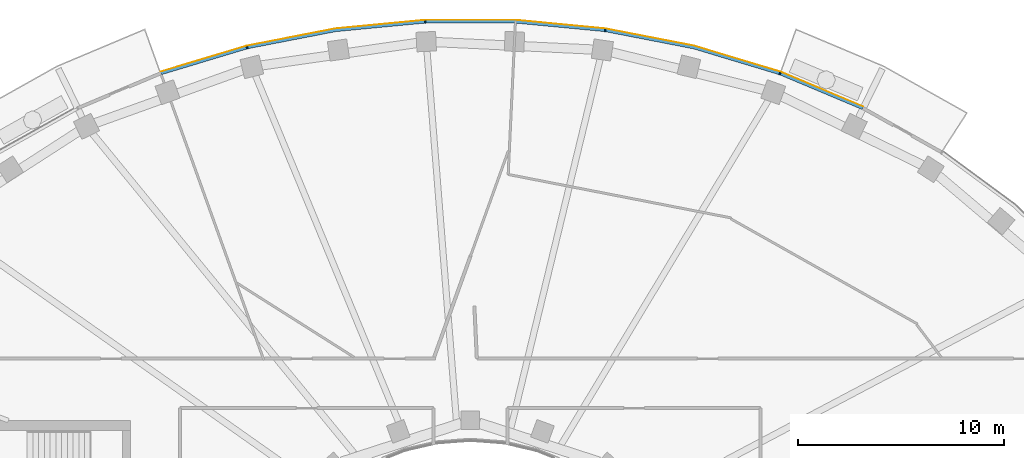
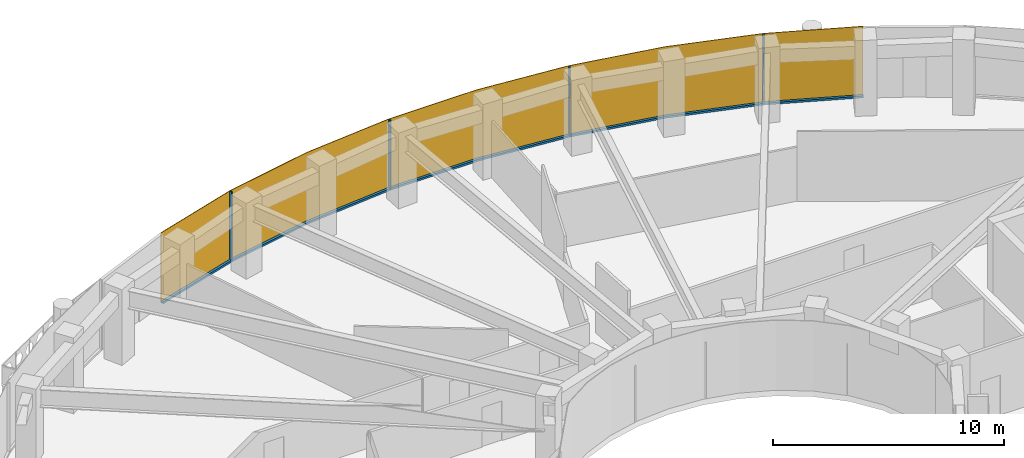
# One storey, part 12 of 15: 9 members, 1 curtain wall.
"""IFC4 building model written with IfcOpenShell, lengths in metres."""

from ifc_helpers import new_model, si_unit, direction, frame, origin, origin_2d, place, context, subcontext, project, spatial, polyline, rectangle, outline, extrude, material, layer, layer_set, material_profile, profile_set, type_object, element, aggregate, save


model = new_model("IFC4")

# Units and contexts
model_context = context("Model", 3, precision=1e-05, world=origin(), true_north=direction((0.0, 1.0)))
body_context = subcontext(model_context, "Body", "Model", "MODEL_VIEW")
ifc_project = project(units=[si_unit("LENGTHUNIT", "METRE"), si_unit("AREAUNIT", "SQUARE_METRE"), si_unit("VOLUMEUNIT", "CUBIC_METRE"), si_unit("PLANEANGLEUNIT", "RADIAN"), si_unit("MASSUNIT", "GRAM", prefix="KILO")], contexts=[model_context])

# Member
ifc_material_1 = material(Name="Aluminium 6063-T6 black anodised", Category="aluminium")
ifc_material_profile = material_profile(ifc_material_1, rectangle(XDim=0.1201171875, YDim=0.06005859375, at=origin_2d()), Name="120x60")
ifc_profile_set = profile_set([ifc_material_profile], Name="Aluminium 6063-T6 black anodised")
member_type_1 = type_object("IfcMemberType", Name="ENV-MULLION-A-120", PredefinedType="MULLION", material=ifc_profile_set)
site_placement = place(None, origin())
building_placement = place(site_placement, origin())
storey_placement = place(building_placement, frame((0.0, 0.0, 307.0)))
member_1_placement = place(storey_placement, frame((15.0341796875, 25.34375, 0.0), z_axis=(0.0, 0.0, 1.0), x_axis=(-0.338379256581, -0.941009818608, 0.0)))
member_1 = element("IfcMember", 1, at=member_1_placement, type_object=member_type_1, Name="Mullion A radial 09", PredefinedType="MULLION", context=body_context, shape_type="SweptSolid", body=[
    extrude(rectangle(XDim=0.1201171875, YDim=0.06005859375, at=origin_2d()), origin(), (0.0, 0.0, 1.0), 3.699951171875),
])

member_2_placement = place(storey_placement, frame((6.54638671875, 27.440185546875, 0.0), z_axis=(0.0, 0.0, 1.0), x_axis=(-0.143082012705, -0.989710835366, 0.0)))
member_2 = element("IfcMember", 2, at=member_2_placement, type_object=member_type_1, Name="Mullion A radial 11", PredefinedType="MULLION", context=body_context, shape_type="SweptSolid", body=[
    extrude(rectangle(XDim=0.1201171875, YDim=0.06005859375, at=origin_2d()), origin(), (0.0, 0.0, 1.0), 3.699951171875),
])

member_3_placement = place(storey_placement, frame((-2.188720703125, 27.856201171875, 0.0), z_axis=(0.0, 0.0, 1.0), x_axis=(0.047557873581, -0.998868484166, 0.0)))
member_3 = element("IfcMember", 3, at=member_3_placement, type_object=member_type_1, Name="Mullion A radial 13", PredefinedType="MULLION", context=body_context, shape_type="SweptSolid", body=[
    extrude(rectangle(XDim=0.1201171875, YDim=0.06005859375, at=origin_2d()), origin(), (0.0, 0.0, 1.0), 3.699951171875),
])

member_4_placement = place(storey_placement, frame((-10.84326171875, 26.60498046875, 0.0), z_axis=(0.0, 0.0, 1.0), x_axis=(0.239799081534, -0.970822538106, 0.0)))
member_4 = element("IfcMember", 4, at=member_4_placement, type_object=member_type_1, Name="Mullion A radial 15", PredefinedType="MULLION", context=body_context, shape_type="SweptSolid", body=[
    extrude(rectangle(XDim=0.1201171875, YDim=0.06005859375, at=origin_2d()), origin(), (0.0, 0.0, 1.0), 3.699951171875),
])

ifc_material_2 = material(Name="Aluminium 6063-T6 black anodised", Category="aluminium")
member_type_2 = type_object("IfcMemberType", Name="ENV-TRANSOM-A", PredefinedType="USERDEFINED", material=ifc_material_2)
member_5_placement = place(storey_placement, origin())
member_5 = element("IfcMember", 5, at=member_5_placement, type_object=member_type_2, Name="Transom A radial 08-09", ObjectType="TRANSOM", PredefinedType="USERDEFINED", context=body_context, shape_type="SweptSolid", body=[
    extrude(outline(polyline([(19.07568359375, 23.709228515625), (15.080322265625, 25.389404296875), (15.03955078125, 25.276123046875), (19.02294921875, 23.601318359375), (19.07568359375, 23.709228515625)])), origin(), (0.0, 0.0, 1.0), 0.10009765625),
])

member_6_placement = place(storey_placement, origin())
member_6 = element("IfcMember", 6, at=member_6_placement, type_object=member_type_2, Name="Transom A radial 09-11", ObjectType="TRANSOM", PredefinedType="USERDEFINED", context=body_context, shape_type="SweptSolid", body=[
    extrude(outline(polyline([(15.027587890625, 25.408203125), (10.857666015625, 26.6630859375), (6.58251953125, 27.494140625), (6.5654296875, 27.375244140625), (10.828857421875, 26.54638671875), (14.987060546875, 25.295166015625), (15.027587890625, 25.408203125)])), origin(), (0.0, 0.0, 1.0), 0.10009765625),
])

member_7_placement = place(storey_placement, origin())
member_7 = element("IfcMember", 7, at=member_7_placement, type_object=member_type_2, Name="Transom A radial 11-13", ObjectType="TRANSOM", PredefinedType="USERDEFINED", context=body_context, shape_type="SweptSolid", body=[
    extrude(outline(polyline([(6.527099609375, 27.502197265625), (2.191650390625, 27.916015625), (-2.163818359375, 27.916015625), (-2.157958984375, 27.7958984375), (2.185791015625, 27.7958984375), (6.510009765625, 27.38330078125), (6.527099609375, 27.502197265625)])), origin(), (0.0, 0.0, 1.0), 0.10009765625),
])

member_8_placement = place(storey_placement, origin())
member_8 = element("IfcMember", 8, at=member_8_placement, type_object=member_type_2, Name="Transom A radial 13-15", ObjectType="TRANSOM", PredefinedType="USERDEFINED", context=body_context, shape_type="SweptSolid", body=[
    extrude(outline(polyline([(-2.219482421875, 27.913330078125), (-6.55517578125, 27.49951171875), (-10.830078125, 26.66845703125), (-10.80126953125, 26.552001953125), (-6.537841796875, 27.380615234375), (-2.2138671875, 27.793212890625), (-2.219482421875, 27.913330078125)])), origin(), (0.0, 0.0, 1.0), 0.10009765625),
])

member_9_placement = place(storey_placement, origin())
member_9 = element("IfcMember", 9, at=member_9_placement, type_object=member_type_2, Name="Transom A radial 15-16", ObjectType="TRANSOM", PredefinedType="USERDEFINED", context=body_context, shape_type="SweptSolid", body=[
    extrude(outline(polyline([(-10.884521484375, 26.655029296875), (-15.035400390625, 25.406005859375), (-14.99462890625, 25.292724609375), (-10.855712890625, 26.53857421875), (-10.884521484375, 26.655029296875)])), origin(), (0.0, 0.0, 1.0), 0.10009765625),
])

# Site, building, storey
site = spatial("IfcSite", under=ifc_project, at=site_placement, CompositionType="ELEMENT")
building = spatial("IfcBuilding", under=site, at=building_placement, Name="Noorbagh Ring Tower", CompositionType="ELEMENT")
storey = spatial("IfcBuildingStorey", under=building, at=storey_placement, Name="L66", CompositionType="ELEMENT", Elevation=307.0)

# Curtain wall
ifc_material_3 = material(Name="Glass dark tinted laminated", Category="glass")
ifc_layer = layer(ifc_material_3, 0.031982421875)
ifc_layer_set = layer_set([ifc_layer], Name="Glass dark tinted laminated")
curtain_wall_type = type_object("IfcCurtainWallType", Name="ENV-CW-A", PredefinedType="NOTDEFINED", material=ifc_layer_set)
curtain_wall_placement = place(storey_placement, origin())
curtain_wall = element("IfcCurtainWall", 10, at=curtain_wall_placement, inside=storey, type_object=curtain_wall_type, Name="Curtain wall A R08", PredefinedType="NOTDEFINED", context=body_context, shape_type="SweptSolid", body=[
    extrude(outline(polyline([(19.08984375, 23.738037109375), (15.065185546875, 25.430419921875), (10.865234375, 26.6943359375), (6.559814453125, 27.53125), (2.193115234375, 27.947998046875), (-2.193115234375, 27.947998046875), (-6.559814453125, 27.53125), (-10.865234375, 26.6943359375), (-15.046142578125, 25.43603515625), (-15.035400390625, 25.406005859375), (-10.857666015625, 26.6630859375), (-6.55517578125, 27.49951171875), (-2.191650390625, 27.916015625), (2.191650390625, 27.916015625), (6.55517578125, 27.49951171875), (10.857666015625, 26.6630859375), (15.054443359375, 25.400146484375), (19.07568359375, 23.709228515625), (19.08984375, 23.738037109375)])), origin(), (0.0, 0.0, 1.0), 3.699951171875),
])

aggregate(curtain_wall, [member_1, member_2, member_3, member_4, member_5, member_6, member_7, member_8, member_9])

save(model, "model.ifc")
